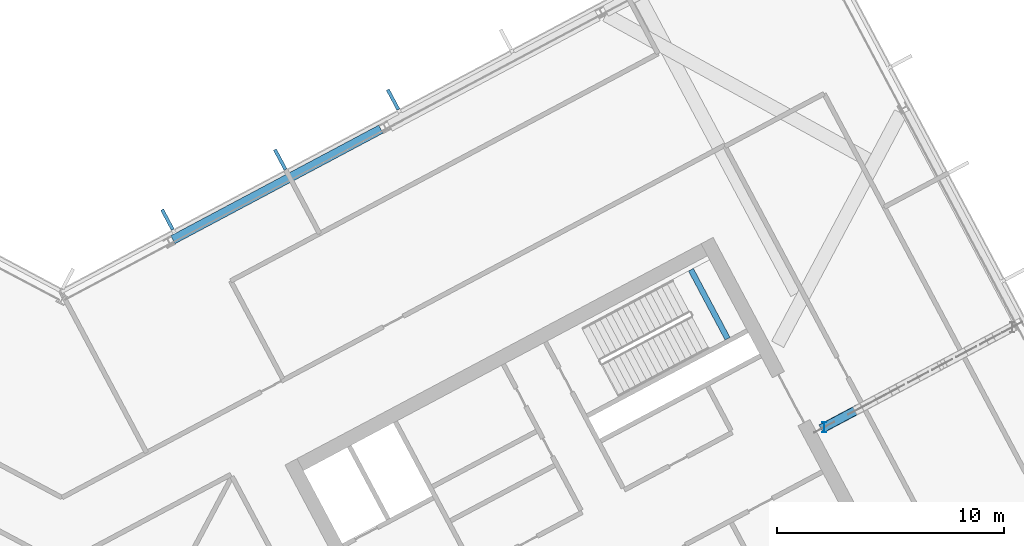
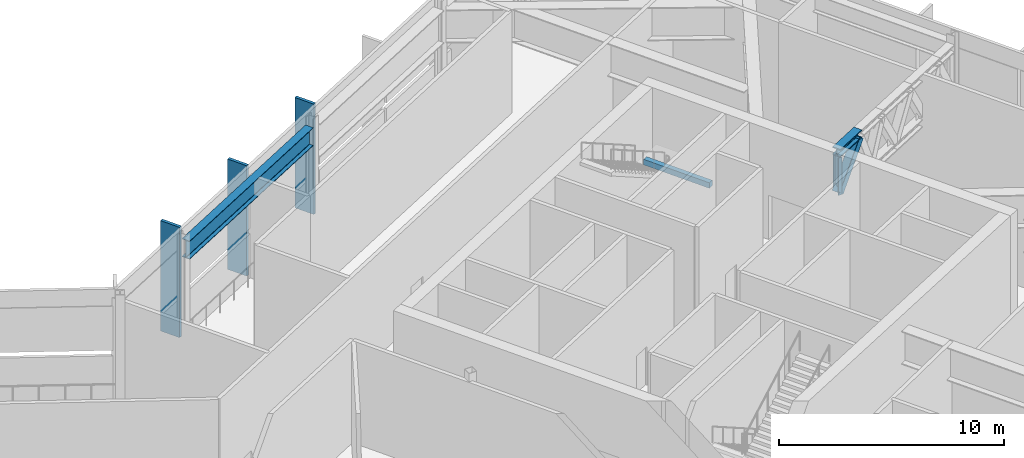
# One storey, part 10 of 33: 6 members, 2 beams, 1 element without a shape of its own.
"""IFC4 building model written with IfcOpenShell, lengths in metres."""

from ifc_helpers import new_model, si_unit, direction, frame, origin, origin_2d, place, context, subcontext, project, spatial, rectangle, hollow_rectangle, i_section, extrude, material, layer, layer_set, material_profile, profile_set, type_object, element, aggregate, save


model = new_model("IFC4")

# Units and contexts
model_context = context("Model", 3, precision=1e-05, world=origin(), true_north=direction((0.0, 1.0)))
body_context = subcontext(model_context, "Body", "Model", "MODEL_VIEW")
ifc_project = project(units=[si_unit("LENGTHUNIT", "METRE"), si_unit("AREAUNIT", "SQUARE_METRE"), si_unit("VOLUMEUNIT", "CUBIC_METRE"), si_unit("PLANEANGLEUNIT", "RADIAN"), si_unit("MASSUNIT", "GRAM", prefix="KILO")], contexts=[model_context])

# Site, building, storey
site_placement = place(None, origin())
site = spatial("IfcSite", under=ifc_project, at=site_placement, CompositionType="ELEMENT")
building_placement = place(site_placement, origin())
building = spatial("IfcBuilding", under=site, at=building_placement, Name="Cormorant Relay Tower", CompositionType="ELEMENT")
storey_placement = place(building_placement, frame((0.0, 0.0, 252.0)))
storey = spatial("IfcBuildingStorey", under=building, at=storey_placement, Name="L56", CompositionType="ELEMENT", Elevation=252.0)

# Curtain wall, members
ifc_material_1 = material(Name="Aluminium 6063-T6 anodised bronze", Category="aluminium")
ifc_layer = layer(ifc_material_1, 0.199951171875)
ifc_layer_set = layer_set([ifc_layer], Name="CW4 band louvre wall")
curtain_wall_type = type_object("IfcCurtainWallType", Name="CW4 band louvre wall", PredefinedType="NOTDEFINED", material=ifc_layer_set)
curtain_wall_placement = place(storey_placement, origin())
curtain_wall = element("IfcCurtainWall", 1, at=curtain_wall_placement, inside=storey, type_object=curtain_wall_type, Name="CW4 curtain wall 8", PredefinedType="NOTDEFINED")
ifc_material_2 = material(Name="Aluminium 6063-T6 anodised bronze", Category="aluminium")
ifc_material_profile_1 = material_profile(ifc_material_2, rectangle(XDim=0.14990234375, YDim=1.0, at=origin_2d()), Name="AL 150x1000")
ifc_profile_set_1 = profile_set([ifc_material_profile_1], Name="Aluminium 6063-T6 anodised bronze")
member_type_1 = type_object("IfcMemberType", Name="CW4 bronze fin mullion 150 x 1000", PredefinedType="MULLION", material=ifc_profile_set_1)
member_1_placement = place(storey_placement, frame((14.608154296875, 32.343994140625, 0.0), z_axis=(0.0, 0.0, 1.0), x_axis=(-0.882947592859, -0.469471562786, 0.0)))
member_1 = element("IfcMember", 2, at=member_1_placement, type_object=member_type_1, Name="CW4 fin 8.4", PredefinedType="MULLION", context=body_context, shape_type="SweptSolid", body=[
    extrude(rectangle(XDim=0.14990234375, YDim=1.0, at=origin_2d()), origin(), (0.0, 0.0, 1.0), 6.0),
])
member_2_placement = place(storey_placement, frame((9.62939453125, 29.69677734375, 0.0), z_axis=(0.0, 0.0, 1.0), x_axis=(-0.882947592859, -0.469471562786, 0.0)))
member_2 = element("IfcMember", 3, at=member_2_placement, type_object=member_type_1, Name="CW4 fin 8.5", PredefinedType="MULLION", context=body_context, shape_type="SweptSolid", body=[
    extrude(rectangle(XDim=0.14990234375, YDim=1.0, at=origin_2d()), origin(), (0.0, 0.0, 1.0), 6.0),
])
member_3_placement = place(storey_placement, frame((4.650390625, 27.04931640625, 0.0), z_axis=(0.0, 0.0, 1.0), x_axis=(-0.882947592859, -0.469471562786, 0.0)))
member_3 = element("IfcMember", 4, at=member_3_placement, type_object=member_type_1, Name="CW4 fin 8.6", PredefinedType="MULLION", context=body_context, shape_type="SweptSolid", body=[
    extrude(rectangle(XDim=0.14990234375, YDim=1.0, at=origin_2d()), origin(), (0.0, 0.0, 1.0), 6.0),
])
aggregate(curtain_wall, [member_1, member_2, member_3])

# Beams
ifc_material_3 = material(Name="Steel ASTM A992 (Fy 345 MPa)", Category="steel")
ifc_material_profile_2 = material_profile(ifc_material_3, i_section(OverallWidth=0.4013671875, OverallDepth=0.990478515625, WebThickness=0.0166015625, FlangeThickness=0.031005859375, FilletRadius=0.030029296875, at=origin_2d()), Name="W1000x320")
ifc_profile_set_2 = profile_set([ifc_material_profile_2], Name="Steel ASTM A992 (Fy 345 MPa)")
beam_type_1 = type_object("IfcBeamType", Name="Spandrel W1000x320", PredefinedType="SPANDREL", material=ifc_profile_set_2)
beam_1_placement = place(storey_placement, frame((14.0732421875, 31.03955078125, 5.0546875), z_axis=(-0.882949648898, -0.469467695918, 0.0), x_axis=(0.469467695918, -0.882949648898, 0.0)))
element("IfcBeam", 5, at=beam_1_placement, inside=storey, type_object=beam_type_1, Name="Spandrel beam L56-007", PredefinedType="SPANDREL", context=body_context, shape_type="SweptSolid", body=[
    extrude(i_section(OverallWidth=0.4013671875, OverallDepth=0.990478515625, WebThickness=0.0166015625, FlangeThickness=0.031005859375, FilletRadius=0.030029296875, at=origin_2d()), origin(), (0.0, 0.0, 1.0), 10.39599609375),
])
ifc_material_4 = material(Name="Concrete 50 MPa", Category="concrete")
ifc_material_profile_3 = material_profile(ifc_material_4, rectangle(XDim=0.25, YDim=0.300048828125, at=origin_2d()), Name="RC 250x300")
ifc_profile_set_3 = profile_set([ifc_material_profile_3], Name="Concrete 50 MPa")
beam_type_2 = type_object("IfcBeamType", Name="Stair landing ledge beam 250x300", PredefinedType="BEAM", material=ifc_profile_set_3)
beam_2_placement = place(storey_placement, frame((29.373291015625, 21.79052734375, 2.64990234375), z_axis=(-0.469519084434, 0.88292232351, 0.0), x_axis=(-0.88292232351, -0.469519084434, 0.0)))
element("IfcBeam", 6, at=beam_2_placement, inside=storey, type_object=beam_type_2, Name="B2 landing ledge beam", PredefinedType="BEAM", context=body_context, shape_type="SweptSolid", body=[
    extrude(rectangle(XDim=0.25, YDim=0.300048828125, at=origin_2d()), origin(), (0.0, 0.0, 1.0), 3.449951171875),
])

# Members
ifc_material_5 = material(Name="Steel ASTM A500 Grade C (Fy 345 MPa)", Category="steel")
ifc_material_profile_4 = material_profile(ifc_material_5, hollow_rectangle(XDim=0.406494140625, YDim=0.406494140625, WallThickness=0.0146484375, InnerFilletRadius=0.00732421875, OuterFilletRadius=0.022216796875, at=origin_2d()), Name="HSS406x406x15")
ifc_profile_set_4 = profile_set([ifc_material_profile_4], Name="Steel ASTM A500 Grade C (Fy 345 MPa)")
member_type_2 = type_object("IfcMemberType", Name="Truss diagonal HSS406x406x15", PredefinedType="BRACE", material=ifc_profile_set_4)
member_4_placement = place(storey_placement, frame((35.14111328125, 18.684814453125, 5.11572265625), z_axis=(-0.567554573638, -0.301775165026, -0.766037568084), x_axis=(0.469472830475, -0.882946918816, 0.0)))
element("IfcMember", 7, at=member_4_placement, inside=storey, type_object=member_type_2, Name="Truss diagonal L56-06-19", PredefinedType="BRACE", context=body_context, shape_type="SweptSolid", body=[
    extrude(hollow_rectangle(XDim=0.406494140625, YDim=0.406494140625, WallThickness=0.0146484375, InnerFilletRadius=0.00732421875, OuterFilletRadius=0.022216796875, at=origin_2d()), origin(), (0.0, 0.0, 1.0), 2.65185546875),
])
ifc_material_6 = material(Name="Steel ASTM A992 (Fy 345 MPa)", Category="steel")
ifc_material_profile_5 = material_profile(ifc_material_6, i_section(OverallWidth=0.1904296875, OverallDepth=0.457275390625, WebThickness=0.009033203125, FlangeThickness=0.014404296875, FilletRadius=0.01025390625, at=origin_2d()), Name="W460x74")
ifc_profile_set_5 = profile_set([ifc_material_profile_5], Name="Steel ASTM A992 (Fy 345 MPa)")
member_type_3 = type_object("IfcMemberType", Name="Truss end post W460x74", PredefinedType="POST", material=ifc_profile_set_5)
member_5_placement = place(storey_placement, frame((33.635986328125, 17.884521484375, 3.084228515625), z_axis=(0.0, 0.0, 1.0), x_axis=(1.0, 0.0, 0.0)))
element("IfcMember", 8, at=member_5_placement, inside=storey, type_object=member_type_3, Name="Truss end post L56-06-11", PredefinedType="POST", context=body_context, shape_type="SweptSolid", body=[
    extrude(i_section(OverallWidth=0.1904296875, OverallDepth=0.457275390625, WebThickness=0.009033203125, FlangeThickness=0.014404296875, FilletRadius=0.01025390625, at=origin_2d()), origin(), (0.0, 0.0, 1.0), 2.031494140625),
])
ifc_material_7 = material(Name="Steel ASTM A992 (Fy 345 MPa)", Category="steel")
ifc_material_profile_6 = material_profile(ifc_material_7, i_section(OverallWidth=0.41162109375, OverallDepth=0.434326171875, WebThickness=0.035888671875, FlangeThickness=0.057373046875, FilletRadius=0.01513671875, at=origin_2d()), Name="W360x463")
ifc_profile_set_6 = profile_set([ifc_material_profile_6], Name="Steel ASTM A992 (Fy 345 MPa)")
member_type_4 = type_object("IfcMemberType", Name="Truss top chord W360x463", PredefinedType="CHORD", material=ifc_profile_set_6)
member_6_placement = place(storey_placement, frame((35.14111328125, 18.684814453125, 5.3330078125), z_axis=(-0.88294178379, -0.469482487893, 0.0), x_axis=(0.469482487893, -0.88294178379, 0.0)))
element("IfcMember", 9, at=member_6_placement, inside=storey, type_object=member_type_4, Name="Truss top chord L56-06-05", PredefinedType="CHORD", context=body_context, shape_type="SweptSolid", body=[
    extrude(i_section(OverallWidth=0.41162109375, OverallDepth=0.434326171875, WebThickness=0.035888671875, FlangeThickness=0.057373046875, FilletRadius=0.01513671875, at=origin_2d()), origin(), (0.0, 0.0, 1.0), 1.7998046875),
])

save(model, "model.ifc")
